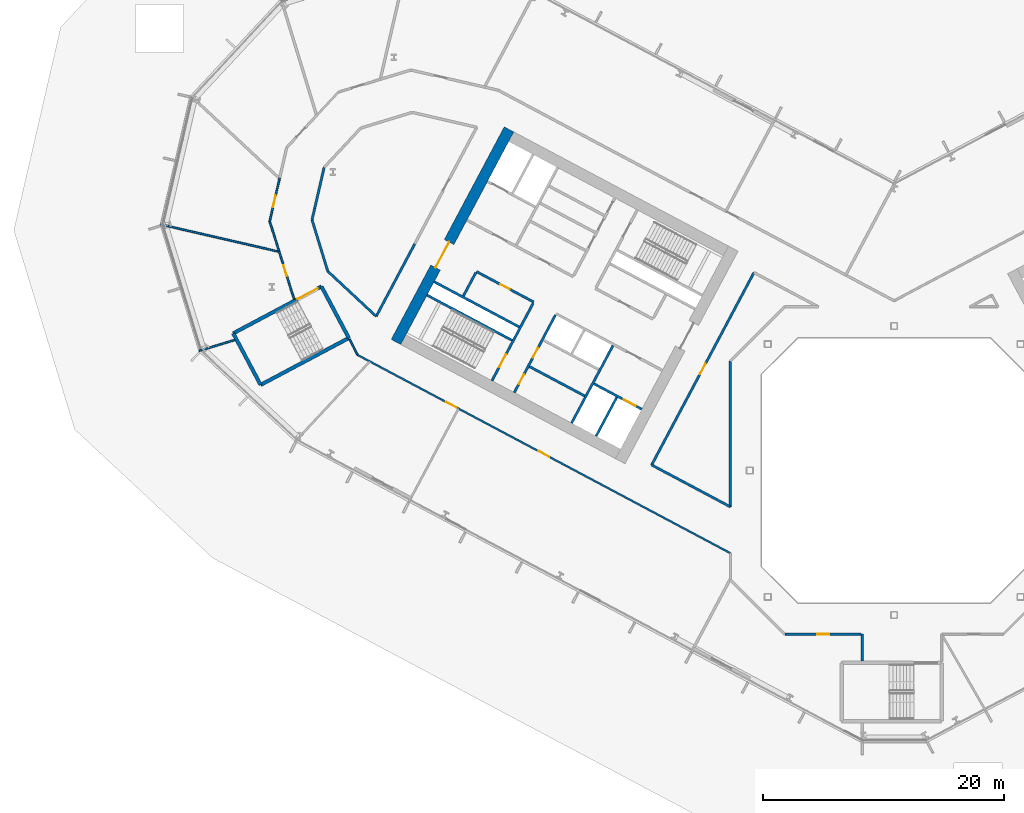
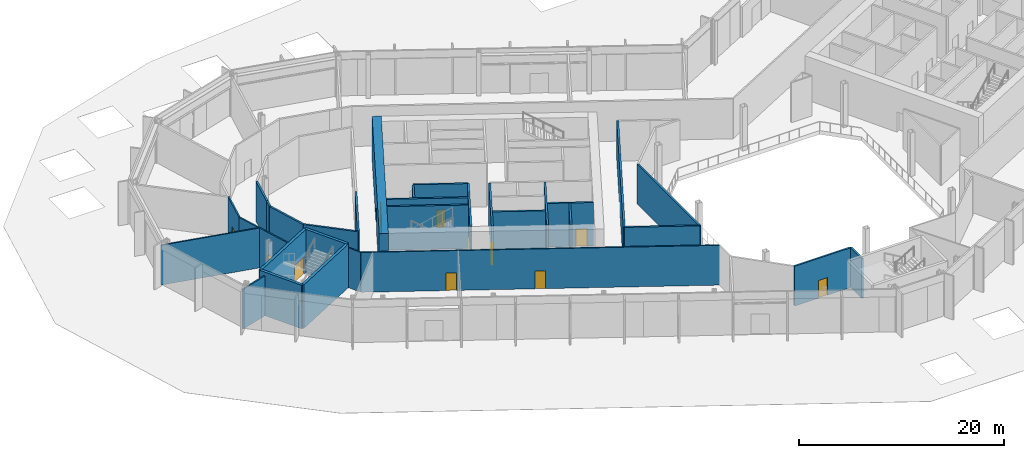
# One storey, part 12 of 30: 32 walls, 13 doors, 13 openings.
"""IFC4 building model written with IfcOpenShell, lengths in metres."""

from ifc_helpers import new_model, si_unit, direction, frame, frame_2d, origin, place, context, subcontext, project, spatial, rectangle, extrude, material, layer, layer_set, type_object, element, fill, save


model = new_model("IFC4")

# Units and contexts
model_context = context("Model", 3, precision=1e-05, world=origin(), true_north=direction((0.0, 1.0)))
body_context = subcontext(model_context, "Body", "Model", "MODEL_VIEW")
ifc_project = project(units=[si_unit("LENGTHUNIT", "METRE"), si_unit("AREAUNIT", "SQUARE_METRE"), si_unit("VOLUMEUNIT", "CUBIC_METRE"), si_unit("PLANEANGLEUNIT", "RADIAN"), si_unit("MASSUNIT", "GRAM", prefix="KILO")], contexts=[model_context])

# Site, building, storey
site_placement = place(None, origin())
site = spatial("IfcSite", under=ifc_project, at=site_placement, CompositionType="ELEMENT")
building_placement = place(site_placement, origin())
building = spatial("IfcBuilding", under=site, at=building_placement, Name="Cormorant Relay Tower", CompositionType="ELEMENT")
storey_placement = place(building_placement, frame((0.0, 0.0, 7.0)))
storey = spatial("IfcBuildingStorey", under=building, at=storey_placement, Name="L01", CompositionType="ELEMENT", Elevation=7.0)

# Walls
ifc_material_1 = material(Name="Concrete 40 MPa", Category="concrete")
ifc_layer_1 = layer(ifc_material_1, 0.199951171875)
ifc_layer_set_1 = layer_set([ifc_layer_1], Name="Core internal wall 200")
wall_type_1 = type_object("IfcWallType", Name="Core internal wall 200", PredefinedType="SOLIDWALL", material=ifc_layer_set_1)
wall_1_placement = place(storey_placement, frame((-25.701904296875, 6.19091796875, 0.0), z_axis=(0.0, 0.0, 1.0), x_axis=(-0.882934506056, 0.469496174655, 0.0)))
element("IfcWall", 1, at=wall_1_placement, inside=storey, type_object=wall_type_1, Name="L01 core A shaft and room wall", PredefinedType="SOLIDWALL", context=body_context, shape_type="SweptSolid", body=[
    extrude(rectangle(XDim=5.199951171875, YDim=0.199951171875, at=frame_2d((2.60009765625, 0.0))), origin(), (0.0, 0.0, 1.0), 5.199951171875),
])
ifc_material_2 = material(Name="Concrete 50 MPa", Category="concrete")
ifc_layer_2 = layer(ifc_material_2, 0.199951171875)
ifc_layer_set_2 = layer_set([ifc_layer_2], Name="Core shaft wall 200")
wall_type_2 = type_object("IfcWallType", Name="Core shaft wall 200", PredefinedType="SHEAR", material=ifc_layer_set_2)
wall_2_placement = place(storey_placement, frame((-23.04296875, 6.07958984375, 0.0), z_axis=(0.0, 0.0, 1.0), x_axis=(-0.469494272526, -0.882935517501, 0.0)))
element("IfcWall", 2, at=wall_2_placement, inside=storey, type_object=wall_type_2, Name="L01 core A shaft wall", PredefinedType="SHEAR", context=body_context, shape_type="SweptSolid", body=[
    extrude(rectangle(XDim=3.64990234375, YDim=0.199951171875, at=frame_2d((1.824951171875, 0.0))), origin(), (0.0, 0.0, 1.0), 5.199951171875),
])
wall_3_placement = place(storey_placement, frame((-23.360107421875, 10.38232421875, 0.0), z_axis=(0.0, 0.0, 1.0), x_axis=(-0.469480409012, -0.88294288918, 0.0)))
element("IfcWall", 3, at=wall_3_placement, inside=storey, type_object=wall_type_2, Name="L01 core A shaft wall", PredefinedType="SHEAR", context=body_context, shape_type="SweptSolid", body=[
    extrude(rectangle(XDim=7.300048828125, YDim=0.199951171875, at=frame_2d((3.64990234375, 0.0))), origin(), (0.0, 0.0, 1.0), 5.199951171875),
])

# Wall, openings, doors
wall_4_placement = place(storey_placement, frame((-28.128173828125, 12.91748046875, 0.0), z_axis=(0.0, 0.0, 1.0), x_axis=(-0.469454336211, -0.882956752176, 0.0)))
wall_4 = element("IfcWall", 4, at=wall_4_placement, inside=storey, type_object=wall_type_2, Name="L01 core A shaft wall", PredefinedType="SHEAR", context=body_context, shape_type="SweptSolid", body=[
    extrude(rectangle(XDim=7.300048828125, YDim=0.199951171875, at=frame_2d((3.64990234375, 0.0))), origin(), (0.0, 0.0, 1.0), 5.199951171875),
])
opening_1_placement = place(wall_4_placement, frame((3.10009765625, 0.0, 0.0)))
opening_1 = element("IfcOpeningElement", 5, at=opening_1_placement, cuts=wall_4, Name="Opening CDD-052", PredefinedType="OPENING", context=body_context, shape_type="SweptSolid", body=[
    extrude(rectangle(XDim=0.89990234375, YDim=2.10009765625, at=frame_2d((0.449951171875, 1.050048828125))), frame((0.0, 0.10986328125, 0.0), z_axis=(0.0, -1.0, 0.0), x_axis=(1.0, 0.0, 0.0)), (0.0, 0.0, 1.0), 0.219970703125),
])
opening_2_placement = place(wall_4_placement, frame((5.60009765625, 0.0, 0.0)))
opening_2 = element("IfcOpeningElement", 6, at=opening_2_placement, cuts=wall_4, Name="Opening CDD-053", PredefinedType="OPENING", context=body_context, shape_type="SweptSolid", body=[
    extrude(rectangle(XDim=0.89990234375, YDim=2.10009765625, at=frame_2d((0.449951171875, 1.050048828125))), frame((0.0, 0.10986328125, 0.0), z_axis=(0.0, -1.0, 0.0), x_axis=(1.0, 0.0, 0.0)), (0.0, 0.0, 1.0), 0.219970703125),
])
ifc_material_3 = material(Name="Steel fire door", Category="steel")
door_type_1 = type_object("IfcDoorType", Name="Core room door 900x2100", OperationType="SINGLE_SWING_LEFT", PredefinedType="DOOR", material=ifc_material_3)
door_1_placement = place(opening_1_placement, origin())
door_1 = element("IfcDoor", 7, at=door_1_placement, inside=storey, type_object=door_type_1, Name="Core room door 900x2100", OperationType="SINGLE_SWING_LEFT", OverallHeight=2.10009765625, OverallWidth=0.89990234375, PredefinedType="DOOR", context=body_context, shape_type="SweptSolid", body=[
    extrude(rectangle(XDim=0.89990234375, YDim=2.10009765625, at=frame_2d((0.449951171875, 1.050048828125))), frame((0.0, 0.02490234375, 0.0), z_axis=(0.0, -1.0, 0.0), x_axis=(1.0, 0.0, 0.0)), (0.0, 0.0, 1.0), 0.050048828125),
])
fill(opening_1, door_1)
door_2_placement = place(opening_2_placement, origin())
door_2 = element("IfcDoor", 8, at=door_2_placement, inside=storey, type_object=door_type_1, Name="Core room door 900x2100", OperationType="SINGLE_SWING_LEFT", OverallHeight=2.10009765625, OverallWidth=0.89990234375, PredefinedType="DOOR", context=body_context, shape_type="SweptSolid", body=[
    extrude(rectangle(XDim=0.89990234375, YDim=2.10009765625, at=frame_2d((0.449951171875, 1.050048828125))), frame((0.0, 0.02490234375, 0.0), z_axis=(0.0, -1.0, 0.0), x_axis=(1.0, 0.0, 0.0)), (0.0, 0.0, 1.0), 0.050048828125),
])
fill(opening_2, door_2)

# Wall, opening, door
wall_5_placement = place(storey_placement, frame((-29.982421875, 13.9033203125, 0.0), z_axis=(0.0, 0.0, 1.0), x_axis=(-0.469454336211, -0.882956752176, 0.0)))
wall_5 = element("IfcWall", 9, at=wall_5_placement, inside=storey, type_object=wall_type_2, Name="L01 core A shaft wall", PredefinedType="SHEAR", context=body_context, shape_type="SweptSolid", body=[
    extrude(rectangle(XDim=7.300048828125, YDim=0.199951171875, at=frame_2d((3.64990234375, 0.0))), origin(), (0.0, 0.0, 1.0), 5.199951171875),
])
opening_3_placement = place(wall_5_placement, frame((4.800048828125, 0.0, 0.0)))
opening_3 = element("IfcOpeningElement", 10, at=opening_3_placement, cuts=wall_5, Name="Opening CDB-015", PredefinedType="OPENING", context=body_context, shape_type="SweptSolid", body=[
    extrude(rectangle(XDim=1.199951171875, YDim=2.10009765625, at=frame_2d((0.60009765625, 1.050048828125))), frame((0.0, 0.10986328125, 0.0), z_axis=(0.0, -1.0, 0.0), x_axis=(1.0, 0.0, 0.0)), (0.0, 0.0, 1.0), 0.219970703125),
])
ifc_material_4 = material(Name="Steel fire door", Category="steel")
door_type_2 = type_object("IfcDoorType", Name="Core stair door 1200x2100", OperationType="SINGLE_SWING_LEFT", PredefinedType="DOOR", material=ifc_material_4)
door_3_placement = place(opening_3_placement, frame((1.199951171875, 0.0, 0.0), z_axis=(0.0, 0.0, 1.0), x_axis=(-1.0, 0.0, 0.0)))
door_3 = element("IfcDoor", 11, at=door_3_placement, inside=storey, type_object=door_type_2, Name="Core stair door 1200x2100", OperationType="SINGLE_SWING_RIGHT", OverallHeight=2.10009765625, OverallWidth=1.199951171875, PredefinedType="DOOR", context=body_context, shape_type="SweptSolid", body=[
    extrude(rectangle(XDim=1.199951171875, YDim=2.10009765625, at=frame_2d((0.60009765625, 1.050048828125))), frame((0.0, 0.02490234375, 0.0), z_axis=(0.0, -1.0, 0.0), x_axis=(1.0, 0.0, 0.0)), (0.0, 0.0, 1.0), 0.050048828125),
])
fill(opening_3, door_3)

# Wall
wall_6_placement = place(storey_placement, frame((-34.750244140625, 16.4384765625, 0.0), z_axis=(0.0, 0.0, 1.0), x_axis=(-0.469401318492, -0.882984938828, 0.0)))
element("IfcWall", 12, at=wall_6_placement, inside=storey, type_object=wall_type_2, Name="L01 core A shaft wall", PredefinedType="SHEAR", context=body_context, shape_type="SweptSolid", body=[
    extrude(rectangle(XDim=2.199951171875, YDim=0.199951171875, at=frame_2d((1.10009765625, 0.0))), origin(), (0.0, 0.0, 1.0), 5.199951171875),
])

# Wall, opening, door
wall_7_placement = place(storey_placement, frame((-29.935302734375, 13.991455078125, 0.0), z_axis=(0.0, 0.0, 1.0), x_axis=(-0.882952937579, 0.469461510692, 0.0)))
wall_7 = element("IfcWall", 13, at=wall_7_placement, inside=storey, type_object=wall_type_2, Name="L01 core A shaft wall", PredefinedType="SHEAR", context=body_context, shape_type="SweptSolid", body=[
    extrude(rectangle(XDim=5.400146484375, YDim=0.199951171875, at=frame_2d((2.7001953125, 0.0))), origin(), (0.0, 0.0, 1.0), 5.199951171875),
])
opening_4_placement = place(wall_7_placement, frame((2.25, 0.0, 0.0)))
opening_4 = element("IfcOpeningElement", 14, at=opening_4_placement, cuts=wall_7, Name="Opening CDD-049", PredefinedType="OPENING", context=body_context, shape_type="SweptSolid", body=[
    extrude(rectangle(XDim=0.89990234375, YDim=2.10009765625, at=frame_2d((0.449951171875, 1.050048828125))), frame((0.0, 0.10986328125, 0.0), z_axis=(0.0, -1.0, 0.0), x_axis=(1.0, 0.0, 0.0)), (0.0, 0.0, 1.0), 0.219970703125),
])
door_4_placement = place(opening_4_placement, origin())
door_4 = element("IfcDoor", 15, at=door_4_placement, inside=storey, type_object=door_type_1, Name="Core room door 900x2100", OperationType="SINGLE_SWING_LEFT", OverallHeight=2.10009765625, OverallWidth=0.89990234375, PredefinedType="DOOR", context=body_context, shape_type="SweptSolid", body=[
    extrude(rectangle(XDim=0.89990234375, YDim=2.10009765625, at=frame_2d((0.449951171875, 1.050048828125))), frame((0.0, 0.02490234375, 0.0), z_axis=(0.0, -1.0, 0.0), x_axis=(1.0, 0.0, 0.0)), (0.0, 0.0, 1.0), 0.050048828125),
])
fill(opening_4, door_4)

# Wall
wall_8_placement = place(storey_placement, frame((-31.150390625, 11.91943359375, 0.0), z_axis=(0.0, 0.0, 1.0), x_axis=(-0.882940221191, 0.469485426614, 0.0)))
element("IfcWall", 16, at=wall_8_placement, inside=storey, type_object=wall_type_2, Name="L01 core A shaft wall", PredefinedType="SHEAR", context=body_context, shape_type="SweptSolid", body=[
    extrude(rectangle(XDim=8.0, YDim=0.199951171875, at=frame_2d((4.0, 0.0))), origin(), (0.0, 0.0, 1.0), 5.199951171875),
])

# Wall, opening, door
wall_9_placement = place(storey_placement, frame((-20.96533203125, 5.088134765625, 0.0), z_axis=(0.0, 0.0, 1.0), x_axis=(-0.882925986334, 0.469512196493, 0.0)))
wall_9 = element("IfcWall", 17, at=wall_9_placement, inside=storey, type_object=wall_type_2, Name="L01 core A shaft wall", PredefinedType="SHEAR", context=body_context, shape_type="SweptSolid", body=[
    extrude(rectangle(XDim=4.5, YDim=0.199951171875, at=frame_2d((2.25, 0.0))), origin(), (0.0, 0.0, 1.0), 5.199951171875),
])
opening_5_placement = place(wall_9_placement, frame((0.60009765625, 0.0, 0.0)))
opening_5 = element("IfcOpeningElement", 18, at=opening_5_placement, cuts=wall_9, Name="Opening LD1-011", PredefinedType="OPENING", context=body_context, shape_type="SweptSolid", body=[
    extrude(rectangle(XDim=1.10009765625, YDim=2.10009765625, at=frame_2d((0.550048828125, 1.050048828125))), frame((0.0, 0.10986328125, 0.0), z_axis=(0.0, -1.0, 0.0), x_axis=(1.0, 0.0, 0.0)), (0.0, 0.0, 1.0), 0.219970703125),
])
ifc_material_5 = material(Name="Stainless steel 316", Category="steel")
door_type_3 = type_object("IfcDoorType", Name="Lift landing door 1100x2100", OperationType="DOUBLE_DOOR_SLIDING", PredefinedType="DOOR", material=ifc_material_5)
door_5_placement = place(opening_5_placement, origin())
door_5 = element("IfcDoor", 19, at=door_5_placement, inside=storey, type_object=door_type_3, Name="FF1 landing door", OperationType="DOUBLE_DOOR_SLIDING", OverallHeight=2.10009765625, OverallWidth=1.10009765625, PredefinedType="DOOR", context=body_context, shape_type="SweptSolid", body=[
    extrude(rectangle(XDim=1.10009765625, YDim=2.10009765625, at=frame_2d((0.550048828125, 1.050048828125))), frame((0.0, 0.02490234375, 0.0), z_axis=(0.0, -1.0, 0.0), x_axis=(1.0, 0.0, 0.0)), (0.0, 0.0, 1.0), 0.050048828125),
])
fill(opening_5, door_5)

# Wall
wall_10_placement = place(storey_placement, frame((-31.7373046875, 10.815673828125, 0.0), z_axis=(0.0, 0.0, 1.0), x_axis=(-0.882940221191, 0.469485426614, 0.0)))
element("IfcWall", 20, at=wall_10_placement, inside=storey, type_object=wall_type_2, Name="L01 core A shaft wall", PredefinedType="SHEAR", context=body_context, shape_type="SweptSolid", body=[
    extrude(rectangle(XDim=8.0, YDim=0.199951171875, at=frame_2d((4.0, 0.0))), origin(), (0.0, 0.0, 1.0), 5.199951171875),
])

# Wall, opening, door
ifc_material_6 = material(Name="Concrete 70 MPa", Category="concrete")
ifc_layer_3 = layer(ifc_material_6, 0.89990234375)
ifc_layer_set_3 = layer_set([ifc_layer_3], Name="Core wall 900")
wall_type_3 = type_object("IfcWallType", Name="Core wall 900", PredefinedType="SHEAR", material=ifc_layer_set_3)
wall_11_placement = place(storey_placement, frame((-31.99169921875, 28.3359375, 0.0), z_axis=(0.0, 0.0, 1.0), x_axis=(-0.46947084998, -0.882947971864, 0.0)))
wall_11 = element("IfcWall", 21, at=wall_11_placement, inside=storey, type_object=wall_type_3, Name="L01 core A wall", PredefinedType="SHEAR", context=body_context, shape_type="SweptSolid", body=[
    extrude(rectangle(XDim=20.0, YDim=0.89990234375, at=frame_2d((10.0, 0.0))), origin(), (0.0, 0.0, 1.0), 5.199951171875),
])
opening_6_placement = place(wall_11_placement, frame((10.60009765625, 0.0, 0.0)))
opening_6 = element("IfcOpeningElement", 22, at=opening_6_placement, cuts=wall_11, Name="Opening CDA-010", PredefinedType="OPENING", context=body_context, shape_type="SweptSolid", body=[
    extrude(rectangle(XDim=2.39990234375, YDim=2.39990234375, at=frame_2d((1.199951171875, 1.199951171875))), frame((0.0, 0.4599609375, 0.0), z_axis=(0.0, -1.0, 0.0), x_axis=(1.0, 0.0, 0.0)), (0.0, 0.0, 1.0), 0.919921875),
])
ifc_material_7 = material(Name="Steel fire door", Category="steel")
door_type_4 = type_object("IfcDoorType", Name="Core lobby door 2400x2400", OperationType="DOUBLE_DOOR_SINGLE_SWING", PredefinedType="DOOR", material=ifc_material_7)
door_6_placement = place(opening_6_placement, origin())
door_6 = element("IfcDoor", 23, at=door_6_placement, inside=storey, type_object=door_type_4, Name="Core lobby door 2400x2400", OperationType="DOUBLE_DOOR_SINGLE_SWING", OverallHeight=2.39990234375, OverallWidth=2.39990234375, PredefinedType="DOOR", context=body_context, shape_type="SweptSolid", body=[
    extrude(rectangle(XDim=2.39990234375, YDim=2.39990234375, at=frame_2d((1.199951171875, 1.199951171875))), frame((0.0, 0.02490234375, 0.0), z_axis=(0.0, -1.0, 0.0), x_axis=(1.0, 0.0, 0.0)), (0.0, 0.0, 1.0), 0.050048828125),
])
fill(opening_6, door_6)

# Walls
ifc_material_8 = material(Name="Fire-rated gypsum board partition")
ifc_layer_4 = layer(ifc_material_8, 0.199951171875)
ifc_layer_set_4 = layer_set([ifc_layer_4], Name="Fire-rated gypsum partition 200")
wall_type_4 = type_object("IfcWallType", Name="Fire-rated gypsum partition 200", PredefinedType="PARTITIONING", material=ifc_layer_set_4)
wall_12_placement = place(storey_placement, frame((-48.137939453125, 21.76806640625, 0.0), z_axis=(0.0, 0.0, 1.0), x_axis=(0.224910471472, 0.974379433189, 0.0)))
element("IfcWall", 24, at=wall_12_placement, inside=storey, type_object=wall_type_4, Name="wall/L01/part/12", PredefinedType="PARTITIONING", context=body_context, shape_type="SweptSolid", body=[
    extrude(rectangle(XDim=3.49853515625, YDim=0.199951171875, at=frame_2d((1.749267578125, 0.0))), origin(), (0.0, 0.0, 1.0), 4.75),
])
wall_13_placement = place(storey_placement, frame((-43.02587890625, 12.802001953125, 0.0), z_axis=(0.0, 0.0, 1.0), x_axis=(-0.731412266015, 0.68193555203, 0.0)))
element("IfcWall", 25, at=wall_13_placement, inside=storey, type_object=wall_type_4, Name="wall/L01/part/14", PredefinedType="PARTITIONING", context=body_context, shape_type="SweptSolid", body=[
    extrude(rectangle(XDim=5.501953125, YDim=0.199951171875, at=frame_2d((2.7509765625, 0.0))), origin(), (0.0, 0.0, 1.0), 4.75),
])
wall_14_placement = place(storey_placement, frame((-47.050048828125, 16.553955078125, 0.0), z_axis=(0.0, 0.0, 1.0), x_axis=(-0.292399072869, 0.956296388253, 0.0)))
element("IfcWall", 26, at=wall_14_placement, inside=storey, type_object=wall_type_4, Name="wall/L01/part/15", PredefinedType="PARTITIONING", context=body_context, shape_type="SweptSolid", body=[
    extrude(rectangle(XDim=4.466064453125, YDim=0.199951171875, at=frame_2d((2.23291015625, 0.0))), origin(), (0.0, 0.0, 1.0), 4.75),
])
wall_15_placement = place(storey_placement, frame((-48.35595703125, 20.824951171875, 0.0), z_axis=(0.0, 0.0, 1.0), x_axis=(0.225227894395, 0.974306109796, 0.0)))
element("IfcWall", 27, at=wall_15_placement, inside=storey, type_object=wall_type_4, Name="wall/L01/part/16", PredefinedType="PARTITIONING", context=body_context, shape_type="SweptSolid", body=[
    extrude(rectangle(XDim=0.968017578125, YDim=0.199951171875, at=frame_2d((0.48388671875, 0.0))), origin(), (0.0, 0.0, 1.0), 4.75),
])
wall_16_placement = place(storey_placement, frame((-39.825927734375, 18.820068359375, 0.0), z_axis=(0.0, 0.0, 1.0), x_axis=(-0.469481685648, -0.882942210363, 0.0)))
element("IfcWall", 28, at=wall_16_placement, inside=storey, type_object=wall_type_4, Name="wall/L01/part/24", PredefinedType="PARTITIONING", context=body_context, shape_type="SweptSolid", body=[
    extrude(rectangle(XDim=6.81591796875, YDim=0.199951171875, at=frame_2d((3.407958984375, 0.0))), origin(), (0.0, 0.0, 1.0), 4.75),
])

# Wall, opening, door
wall_17_placement = place(storey_placement, frame((-20.14208984375, 0.4599609375, 0.0), z_axis=(0.0, 0.0, 1.0), x_axis=(0.469506937019, 0.882928783136, 0.0)))
wall_17 = element("IfcWall", 29, at=wall_17_placement, inside=storey, type_object=wall_type_4, Name="wall/L01/part/37", PredefinedType="PARTITIONING", context=body_context, shape_type="SweptSolid", body=[
    extrude(rectangle(XDim=18.099853515625, YDim=0.199951171875, at=frame_2d((9.0498046875, 0.0))), origin(), (0.0, 0.0, 1.0), 4.75),
])
opening_7_placement = place(wall_17_placement, frame((8.550048828125, 0.0, 0.0)))
opening_7 = element("IfcOpeningElement", 30, at=opening_7_placement, cuts=wall_17, Name="Opening FD1-006", PredefinedType="OPENING", context=body_context, shape_type="SweptSolid", body=[
    extrude(rectangle(XDim=1.0, YDim=2.10009765625, at=frame_2d((0.5, 1.050048828125))), frame((0.0, 0.10986328125, 0.0), z_axis=(0.0, -1.0, 0.0), x_axis=(1.0, 0.0, 0.0)), (0.0, 0.0, 1.0), 0.219970703125),
])
ifc_material_9 = material(Name="Fire-rated steel door", Category="steel")
door_type_5 = type_object("IfcDoorType", Name="Fire door 1000 x 2100", OperationType="SINGLE_SWING_LEFT", PredefinedType="DOOR", material=ifc_material_9)
door_7_placement = place(opening_7_placement, frame((1.0, 0.0, 0.0), z_axis=(0.0, 0.0, 1.0), x_axis=(-1.0, 0.0, 0.0)))
door_7 = element("IfcDoor", 31, at=door_7_placement, inside=storey, type_object=door_type_5, Name="door/L01/2", OperationType="SINGLE_SWING_LEFT", OverallHeight=2.10009765625, OverallWidth=1.0, PredefinedType="DOOR", context=body_context, shape_type="SweptSolid", body=[
    extrude(rectangle(XDim=1.0, YDim=2.10009765625, at=frame_2d((0.5, 1.050048828125))), frame((0.0, 0.02490234375, 0.0), z_axis=(0.0, -1.0, 0.0), x_axis=(1.0, 0.0, 0.0)), (0.0, 0.0, 1.0), 0.050048828125),
])
fill(opening_7, door_7)

# Walls
wall_18_placement = place(storey_placement, frame((-13.60009765625, -3.01904296875, 0.0), z_axis=(0.0, 0.0, 1.0), x_axis=(-0.882915984826, 0.469531004022, 0.0)))
element("IfcWall", 32, at=wall_18_placement, inside=storey, type_object=wall_type_4, Name="wall/L01/part/39", PredefinedType="PARTITIONING", context=body_context, shape_type="SweptSolid", body=[
    extrude(rectangle(XDim=7.409423828125, YDim=0.199951171875, at=frame_2d((3.70458984375, 0.0))), origin(), (0.0, 0.0, 1.0), 4.75),
])
wall_19_placement = place(storey_placement, frame((-13.60009765625, 9.076904296875, 0.0), z_axis=(0.0, 0.0, 1.0), x_axis=(0.0, -1.0, 0.0)))
element("IfcWall", 33, at=wall_19_placement, inside=storey, type_object=wall_type_4, Name="wall/L01/part/40", PredefinedType="PARTITIONING", context=body_context, shape_type="SweptSolid", body=[
    extrude(rectangle(XDim=12.095947265625, YDim=0.199951171875, at=frame_2d((6.0478515625, 0.0))), origin(), (0.0, 0.0, 1.0), 4.75),
])

# Wall, opening, door
wall_20_placement = place(storey_placement, frame((-2.743896484375, -13.60009765625, 0.0), z_axis=(0.0, 0.0, 1.0), x_axis=(-1.0, 0.0, 0.0)))
wall_20 = element("IfcWall", 34, at=wall_20_placement, inside=storey, type_object=wall_type_4, Name="wall/L01/part/42", PredefinedType="PARTITIONING", context=body_context, shape_type="SweptSolid", body=[
    extrude(rectangle(XDim=6.3330078125, YDim=0.199951171875, at=frame_2d((3.16650390625, 0.0))), origin(), (0.0, 0.0, 1.0), 4.75),
])
opening_8_placement = place(wall_20_placement, frame((2.64990234375, 0.0, 0.0)))
opening_8 = element("IfcOpeningElement", 35, at=opening_8_placement, cuts=wall_20, Name="Opening FD1-007", PredefinedType="OPENING", context=body_context, shape_type="SweptSolid", body=[
    extrude(rectangle(XDim=1.0, YDim=2.10009765625, at=frame_2d((0.5, 1.050048828125))), frame((0.0, 0.10986328125, 0.0), z_axis=(0.0, -1.0, 0.0), x_axis=(1.0, 0.0, 0.0)), (0.0, 0.0, 1.0), 0.219970703125),
])
door_8_placement = place(opening_8_placement, origin())
door_8 = element("IfcDoor", 36, at=door_8_placement, inside=storey, type_object=door_type_5, Name="door/L01/21", OperationType="SINGLE_SWING_LEFT", OverallHeight=2.10009765625, OverallWidth=1.0, PredefinedType="DOOR", context=body_context, shape_type="SweptSolid", body=[
    extrude(rectangle(XDim=1.0, YDim=2.10009765625, at=frame_2d((0.5, 1.050048828125))), frame((0.0, 0.02490234375, 0.0), z_axis=(0.0, -1.0, 0.0), x_axis=(1.0, 0.0, 0.0)), (0.0, 0.0, 1.0), 0.050048828125),
])
fill(opening_8, door_8)

# Walls
wall_21_placement = place(storey_placement, frame((-2.64892578125, -15.840087890625, 0.0), z_axis=(0.0, 0.0, 1.0), x_axis=(0.0, 1.0, 0.0)))
element("IfcWall", 37, at=wall_21_placement, inside=storey, type_object=wall_type_4, Name="wall/L01/part/47", PredefinedType="PARTITIONING", context=body_context, shape_type="SweptSolid", body=[
    extrude(rectangle(XDim=2.239990234375, YDim=0.199951171875, at=frame_2d((1.1201171875, 0.0))), origin(), (0.0, 0.0, 1.0), 4.75),
])
ifc_material_10 = material(Name="Gypsum board partition")
ifc_layer_5 = layer(ifc_material_10, 0.14990234375)
ifc_layer_set_5 = layer_set([ifc_layer_5], Name="Gypsum board partition 150")
wall_type_5 = type_object("IfcWallType", Name="Gypsum board partition 150", PredefinedType="PARTITIONING", material=ifc_layer_set_5)
wall_22_placement = place(storey_placement, frame((-51.080078125, 18.16796875, 0.0), z_axis=(0.0, 0.0, 1.0), x_axis=(-0.974375306075, 0.224928350615, 0.0)))
element("IfcWall", 38, at=wall_22_placement, inside=storey, type_object=wall_type_5, Name="wall/L01/part/1", PredefinedType="PARTITIONING", context=body_context, shape_type="SweptSolid", body=[
    extrude(rectangle(XDim=10.100830078125, YDim=0.14990234375, at=frame_2d((5.05029296875, 0.0))), origin(), (0.0, 0.0, 1.0), 4.75),
])
wall_23_placement = place(storey_placement, frame((-54.7607421875, 10.847900390625, 0.0), z_axis=(0.0, 0.0, 1.0), x_axis=(-0.956301064033, -0.29238378021, 0.0)))
element("IfcWall", 39, at=wall_23_placement, inside=storey, type_object=wall_type_5, Name="wall/L01/part/3", PredefinedType="PARTITIONING", context=body_context, shape_type="SweptSolid", body=[
    extrude(rectangle(XDim=3.115478515625, YDim=0.14990234375, at=frame_2d((1.5576171875, 0.0))), origin(), (0.0, 0.0, 1.0), 4.75),
])

# Wall, opening, door
wall_24_placement = place(storey_placement, frame((-51.041015625, 24.31103515625, 0.0), z_axis=(0.0, 0.0, 1.0), x_axis=(-0.224893203367, -0.974383418927, 0.0)))
wall_24 = element("IfcWall", 40, at=wall_24_placement, inside=storey, type_object=wall_type_5, Name="wall/L01/part/4", PredefinedType="PARTITIONING", context=body_context, shape_type="SweptSolid", body=[
    extrude(rectangle(XDim=3.7041015625, YDim=0.14990234375, at=frame_2d((1.85205078125, 0.0))), origin(), (0.0, 0.0, 1.0), 4.75),
])
opening_9_placement = place(wall_24_placement, frame((1.48193359375, 0.0, 0.0)))
opening_9 = element("IfcOpeningElement", 41, at=opening_9_placement, cuts=wall_24, Name="Opening D1-004", PredefinedType="OPENING", context=body_context, shape_type="SweptSolid", body=[
    extrude(rectangle(XDim=1.0, YDim=2.10009765625, at=frame_2d((0.5, 1.050048828125))), frame((0.0, 0.0849609375, 0.0), z_axis=(0.0, -1.0, 0.0), x_axis=(1.0, 0.0, 0.0)), (0.0, 0.0, 1.0), 0.169921875),
])
ifc_material_11 = material(Name="Painted steel door", Category="steel")
door_type_6 = type_object("IfcDoorType", Name="Single door 1000 x 2100", OperationType="SINGLE_SWING_LEFT", PredefinedType="DOOR", material=ifc_material_11)
door_9_placement = place(opening_9_placement, frame((1.0, 0.0, 0.0), z_axis=(0.0, 0.0, 1.0), x_axis=(-1.0, 0.0, 0.0)))
door_9 = element("IfcDoor", 42, at=door_9_placement, inside=storey, type_object=door_type_6, Name="door/L01/17", OperationType="SINGLE_SWING_RIGHT", OverallHeight=2.10009765625, OverallWidth=1.0, PredefinedType="DOOR", context=body_context, shape_type="SweptSolid", body=[
    extrude(rectangle(XDim=1.0, YDim=2.10009765625, at=frame_2d((0.5, 1.050048828125))), frame((0.0, 0.02490234375, 0.0), z_axis=(0.0, -1.0, 0.0), x_axis=(1.0, 0.0, 0.0)), (0.0, 0.0, 1.0), 0.050048828125),
])
fill(opening_9, door_9)

# Wall
wall_25_placement = place(storey_placement, frame((-51.8740234375, 20.701904296875, 0.0), z_axis=(0.0, 0.0, 1.0), x_axis=(0.299019355328, -0.954247046178, 0.0)))
element("IfcWall", 43, at=wall_25_placement, inside=storey, type_object=wall_type_5, Name="wall/L01/part/5", PredefinedType="PARTITIONING", context=body_context, shape_type="SweptSolid", body=[
    extrude(rectangle(XDim=2.595458984375, YDim=0.14990234375, at=frame_2d((1.2978515625, 0.0))), origin(), (0.0, 0.0, 1.0), 4.75),
])

# Wall, opening, door
wall_26_placement = place(storey_placement, frame((-49.847412109375, 14.233642578125, 0.0), z_axis=(0.0, 0.0, 1.0), x_axis=(-0.29896287329, 0.954264743346, 0.0)))
wall_26 = element("IfcWall", 44, at=wall_26_placement, inside=storey, type_object=wall_type_5, Name="wall/L01/part/6", PredefinedType="PARTITIONING", context=body_context, shape_type="SweptSolid", body=[
    extrude(rectangle(XDim=4.182861328125, YDim=0.14990234375, at=frame_2d((2.09130859375, 0.0))), origin(), (0.0, 0.0, 1.0), 4.75),
])
opening_10_placement = place(wall_26_placement, frame((2.014892578125, 0.0, 0.0)))
opening_10 = element("IfcOpeningElement", 45, at=opening_10_placement, cuts=wall_26, Name="Opening D2-001", PredefinedType="OPENING", context=body_context, shape_type="SweptSolid", body=[
    extrude(rectangle(XDim=0.949951171875, YDim=2.10009765625, at=frame_2d((0.47509765625, 1.050048828125))), frame((0.0, 0.0849609375, 0.0), z_axis=(0.0, -1.0, 0.0), x_axis=(1.0, 0.0, 0.0)), (0.0, 0.0, 1.0), 0.169921875),
])
ifc_material_12 = material(Name="Timber door", Category="wood")
door_type_7 = type_object("IfcDoorType", Name="Toilet door 950 x 2100", OperationType="SINGLE_SWING_LEFT", PredefinedType="DOOR", material=ifc_material_12)
door_10_placement = place(opening_10_placement, origin())
door_10 = element("IfcDoor", 46, at=door_10_placement, inside=storey, type_object=door_type_7, Name="door/L01/18", OperationType="SINGLE_SWING_RIGHT", OverallHeight=2.10009765625, OverallWidth=0.949951171875, PredefinedType="DOOR", context=body_context, shape_type="SweptSolid", body=[
    extrude(rectangle(XDim=0.949951171875, YDim=2.10009765625, at=frame_2d((0.47509765625, 1.050048828125))), frame((0.0, 0.02490234375, 0.0), z_axis=(0.0, -1.0, 0.0), x_axis=(1.0, 0.0, 0.0)), (0.0, 0.0, 1.0), 0.050048828125),
])
fill(opening_10, door_10)

# Wall, openings, doors
wall_27_placement = place(storey_placement, frame((-13.60009765625, -6.868896484375, 0.0), z_axis=(0.0, 0.0, 1.0), x_axis=(-0.88295406426, 0.469459391648, 0.0)))
wall_27 = element("IfcWall", 47, at=wall_27_placement, inside=storey, type_object=wall_type_5, Name="wall/L01/part/22", PredefinedType="PARTITIONING", context=body_context, shape_type="SweptSolid", body=[
    extrude(rectangle(XDim=35.091064453125, YDim=0.14990234375, at=frame_2d((17.54541015625, 0.0))), origin(), (0.0, 0.0, 1.0), 4.75),
])
opening_11_placement = place(wall_27_placement, frame((25.75, 0.0, 0.0)))
opening_11 = element("IfcOpeningElement", 48, at=opening_11_placement, cuts=wall_27, Name="Opening D1-005", PredefinedType="OPENING", context=body_context, shape_type="SweptSolid", body=[
    extrude(rectangle(XDim=1.0, YDim=2.10009765625, at=frame_2d((0.5, 1.050048828125))), frame((0.0, 0.0849609375, 0.0), z_axis=(0.0, -1.0, 0.0), x_axis=(1.0, 0.0, 0.0)), (0.0, 0.0, 1.0), 0.169921875),
])
opening_12_placement = place(wall_27_placement, frame((17.050048828125, 0.0, 0.0)))
opening_12 = element("IfcOpeningElement", 49, at=opening_12_placement, cuts=wall_27, Name="Opening D1-006", PredefinedType="OPENING", context=body_context, shape_type="SweptSolid", body=[
    extrude(rectangle(XDim=1.0, YDim=2.10009765625, at=frame_2d((0.5, 1.050048828125))), frame((0.0, 0.0849609375, 0.0), z_axis=(0.0, -1.0, 0.0), x_axis=(1.0, 0.0, 0.0)), (0.0, 0.0, 1.0), 0.169921875),
])
door_11_placement = place(opening_11_placement, origin())
door_11 = element("IfcDoor", 50, at=door_11_placement, inside=storey, type_object=door_type_6, Name="door/L01/19", OperationType="SINGLE_SWING_LEFT", OverallHeight=2.10009765625, OverallWidth=1.0, PredefinedType="DOOR", context=body_context, shape_type="SweptSolid", body=[
    extrude(rectangle(XDim=1.0, YDim=2.10009765625, at=frame_2d((0.5, 1.050048828125))), frame((0.0, 0.02490234375, 0.0), z_axis=(0.0, -1.0, 0.0), x_axis=(1.0, 0.0, 0.0)), (0.0, 0.0, 1.0), 0.050048828125),
])
fill(opening_11, door_11)
door_12_placement = place(opening_12_placement, origin())
door_12 = element("IfcDoor", 51, at=door_12_placement, inside=storey, type_object=door_type_6, Name="door/L01/20", OperationType="SINGLE_SWING_LEFT", OverallHeight=2.10009765625, OverallWidth=1.0, PredefinedType="DOOR", context=body_context, shape_type="SweptSolid", body=[
    extrude(rectangle(XDim=1.0, YDim=2.10009765625, at=frame_2d((0.5, 1.050048828125))), frame((0.0, 0.02490234375, 0.0), z_axis=(0.0, -1.0, 0.0), x_axis=(1.0, 0.0, 0.0)), (0.0, 0.0, 1.0), 0.050048828125),
])
fill(opening_12, door_12)

# Walls
wall_28_placement = place(storey_placement, frame((-44.583984375, 9.60498046875, 0.0), z_axis=(0.0, 0.0, 1.0), x_axis=(-0.445453249083, 0.895305200968, 0.0)))
element("IfcWall", 52, at=wall_28_placement, inside=storey, type_object=wall_type_5, Name="wall/L01/part/23", PredefinedType="PARTITIONING", context=body_context, shape_type="SweptSolid", body=[
    extrude(rectangle(XDim=1.443115234375, YDim=0.14990234375, at=frame_2d((0.7216796875, 0.0))), origin(), (0.0, 0.0, 1.0), 4.75),
])
ifc_material_13 = material(Name="Concrete 50 MPa", Category="concrete")
ifc_layer_6 = layer(ifc_material_13, 0.300048828125)
ifc_layer_set_6 = layer_set([ifc_layer_6], Name="Remote stair wall 300")
wall_type_6 = type_object("IfcWallType", Name="Remote stair wall 300", PredefinedType="SHEAR", material=ifc_layer_set_6)
wall_29_placement = place(storey_placement, frame((-47.57421875, 15.28955078125, 0.0), z_axis=(0.0, 0.0, 1.0), x_axis=(0.469443498566, -0.882962514297, 0.0)))
element("IfcWall", 53, at=wall_29_placement, inside=storey, type_object=wall_type_6, Name="L01 exit stair RP1 wall", PredefinedType="SHEAR", context=body_context, shape_type="SweptSolid", body=[
    extrude(rectangle(XDim=4.85009765625, YDim=0.300048828125, at=frame_2d((2.425048828125, 0.0))), origin(), (0.0, 0.0, 1.0), 5.199951171875),
])
wall_30_placement = place(storey_placement, frame((-45.29736328125, 11.007080078125, 0.0), z_axis=(0.0, 0.0, 1.0), x_axis=(-0.882951519127, -0.469464178475, 0.0)))
element("IfcWall", 54, at=wall_30_placement, inside=storey, type_object=wall_type_6, Name="L01 exit stair RP1 wall", PredefinedType="SHEAR", context=body_context, shape_type="SweptSolid", body=[
    extrude(rectangle(XDim=8.2998046875, YDim=0.300048828125, at=frame_2d((4.14990234375, 0.0))), origin(), (0.0, 0.0, 1.0), 5.199951171875),
])
wall_31_placement = place(storey_placement, frame((-52.625732421875, 7.110595703125, 0.0), z_axis=(0.0, 0.0, 1.0), x_axis=(-0.469464364128, 0.882951420416, 0.0)))
element("IfcWall", 55, at=wall_31_placement, inside=storey, type_object=wall_type_6, Name="L01 exit stair RP1 wall", PredefinedType="SHEAR", context=body_context, shape_type="SweptSolid", body=[
    extrude(rectangle(XDim=4.849853515625, YDim=0.300048828125, at=frame_2d((2.4248046875, 0.0))), origin(), (0.0, 0.0, 1.0), 5.199951171875),
])

# Wall, opening, door
wall_32_placement = place(storey_placement, frame((-54.902587890625, 11.392822265625, 0.0), z_axis=(0.0, 0.0, 1.0), x_axis=(0.882939326045, 0.469487110071, 0.0)))
wall_32 = element("IfcWall", 56, at=wall_32_placement, inside=storey, type_object=wall_type_6, Name="L01 exit stair RP1 wall", PredefinedType="SHEAR", context=body_context, shape_type="SweptSolid", body=[
    extrude(rectangle(XDim=8.300048828125, YDim=0.300048828125, at=frame_2d((4.14990234375, 0.0))), origin(), (0.0, 0.0, 1.0), 5.199951171875),
])
opening_13_placement = place(wall_32_placement, frame((6.050048828125, 0.0, 0.0)))
opening_13 = element("IfcOpeningElement", 57, at=opening_13_placement, cuts=wall_32, Name="Opening CDE-005", PredefinedType="OPENING", context=body_context, shape_type="SweptSolid", body=[
    extrude(rectangle(XDim=1.89990234375, YDim=2.10009765625, at=frame_2d((0.949951171875, 1.050048828125))), frame((0.0, 0.159912109375, 0.0), z_axis=(0.0, -1.0, 0.0), x_axis=(1.0, 0.0, 0.0)), (0.0, 0.0, 1.0), 0.320068359375),
])
ifc_material_14 = material(Name="Steel fire door", Category="steel")
door_type_8 = type_object("IfcDoorType", Name="Remote stair door 1900x2100", OperationType="DOUBLE_DOOR_SINGLE_SWING", PredefinedType="DOOR", material=ifc_material_14)
door_13_placement = place(opening_13_placement, frame((1.89990234375, 0.0, 0.0), z_axis=(0.0, 0.0, 1.0), x_axis=(-1.0, 0.0, 0.0)))
door_13 = element("IfcDoor", 58, at=door_13_placement, inside=storey, type_object=door_type_8, Name="Exit stair RP1 door", OperationType="DOUBLE_DOOR_SINGLE_SWING", OverallHeight=2.10009765625, OverallWidth=1.89990234375, PredefinedType="DOOR", context=body_context, shape_type="SweptSolid", body=[
    extrude(rectangle(XDim=1.89990234375, YDim=2.10009765625, at=frame_2d((0.949951171875, 1.050048828125))), frame((0.0, 0.02490234375, 0.0), z_axis=(0.0, -1.0, 0.0), x_axis=(1.0, 0.0, 0.0)), (0.0, 0.0, 1.0), 0.050048828125),
])
fill(opening_13, door_13)

save(model, "model.ifc")
